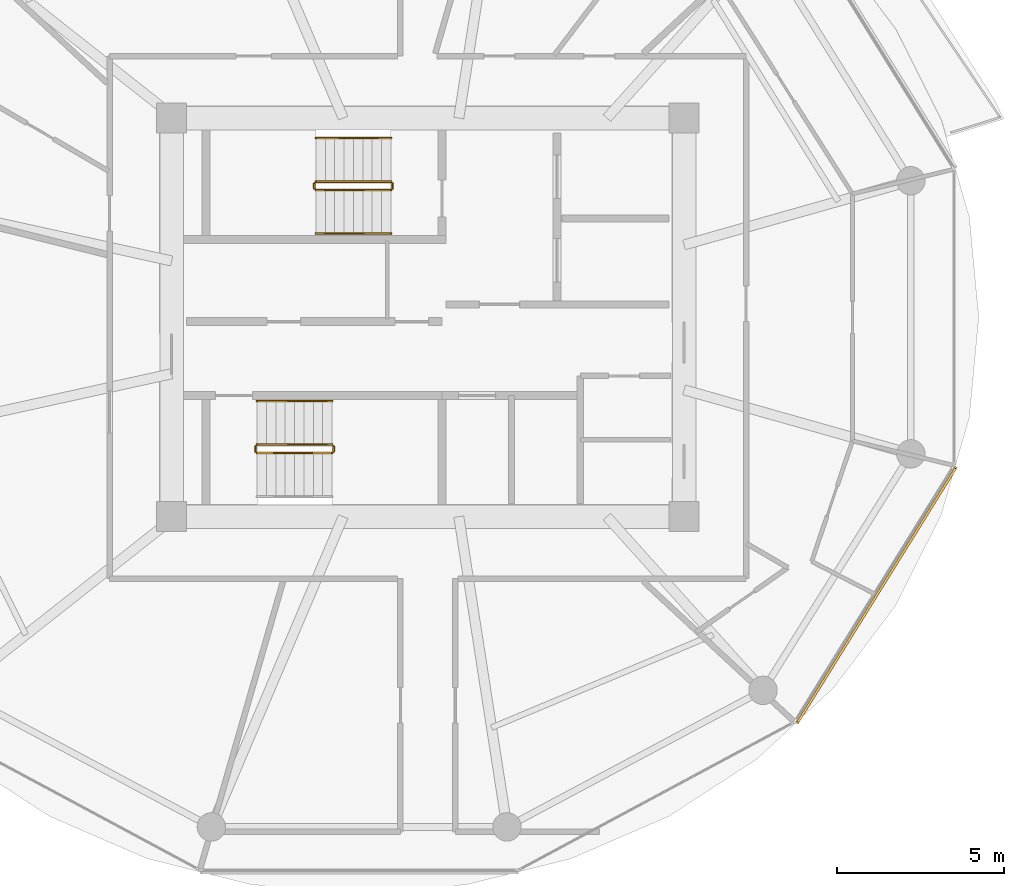
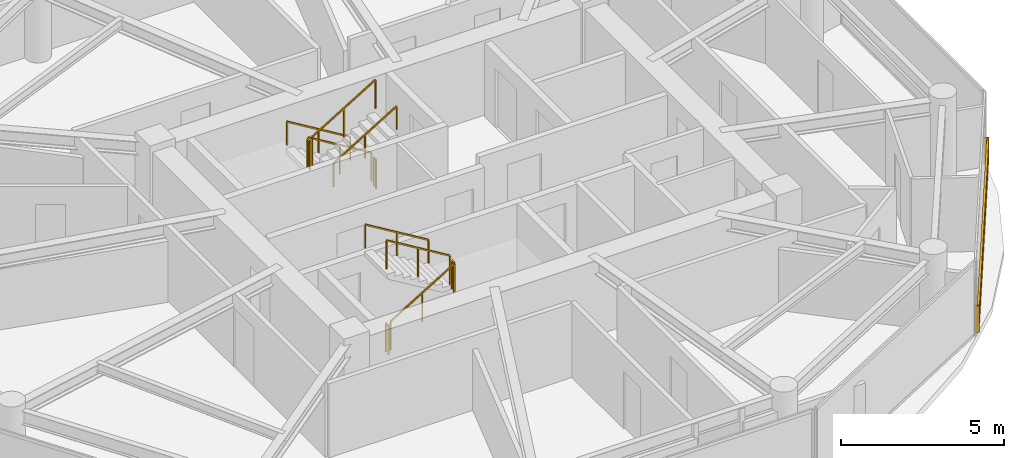
# One storey, part 23 of 24: 11 railings, 1 shading device.
"""IFC4 building model written with IfcOpenShell, lengths in metres."""

from ifc_helpers import new_model, si_unit, direction, frame, origin, origin_2d, place, context, subcontext, project, spatial, rectangle, extrude, source, transform, mapped, material, type_object, type_shapes, element, save


model = new_model("IFC4")

# Units and contexts
model_context = context("Model", 3, precision=1e-05, world=origin(), true_north=direction((0.0, 1.0)))
body_context = subcontext(model_context, "Body", "Model", "MODEL_VIEW")
ifc_project = project(units=[si_unit("LENGTHUNIT", "METRE"), si_unit("AREAUNIT", "SQUARE_METRE"), si_unit("VOLUMEUNIT", "CUBIC_METRE"), si_unit("PLANEANGLEUNIT", "RADIAN"), si_unit("MASSUNIT", "GRAM", prefix="KILO")], contexts=[model_context])

# Site, building, storey
site_placement = place(None, origin())
site = spatial("IfcSite", under=ifc_project, at=site_placement, CompositionType="ELEMENT")
building_placement = place(site_placement, origin())
building = spatial("IfcBuilding", under=site, at=building_placement, Name="Norrkilde Senior Care Towers", CompositionType="ELEMENT")
storey_placement = place(building_placement, frame((0.0, 0.0, 111.5)))
storey = spatial("IfcBuildingStorey", under=building, at=storey_placement, Name="L34", CompositionType="ELEMENT", Elevation=111.5)

# Railings
ifc_material_1 = material(Name="Stainless Steel", Category="steel")
railing_type_1 = type_object("IfcRailingType", Name="Stair and Terrace Guardrail 1100", PredefinedType="GUARDRAIL", material=ifc_material_1)
railing_1_placement = place(storey_placement, frame((26.89990234375, 4.050048828125, 0.16943359375)))
element("IfcRailing", 1, at=railing_1_placement, inside=storey, type_object=railing_type_1, Name="L34 ST-E1 stair guard 1", PredefinedType="GUARDRAIL", context=body_context, shape_type="SweptSolid", body=[
    extrude(rectangle(XDim=0.048095703125, YDim=0.048095703125, at=origin_2d()), frame((0.0, 0.0, 1.076171875), z_axis=(-0.855553338991, 0.0, 0.51771467445), x_axis=(0.0, -1.0, 0.0)), (0.0, 0.0, 1.0), 2.6181640625),
    extrude(rectangle(XDim=0.0419921875, YDim=0.0419921875, at=origin_2d()), origin(), (0.0, 0.0, 1.0), 1.050048828125),
    extrude(rectangle(XDim=0.0419921875, YDim=0.0419921875, at=origin_2d()), frame((-1.1201171875, 0.0, 0.677734375)), (0.0, 0.0, 1.0), 1.050048828125),
    extrude(rectangle(XDim=0.0419921875, YDim=0.0419921875, at=origin_2d()), frame((-2.239990234375, 0.0, 1.35546875)), (0.0, 0.0, 1.0), 1.050048828125),
])
railing_2_placement = place(storey_placement, frame((24.610107421875, 4.0, 1.52490234375)))
element("IfcRailing", 2, at=railing_2_placement, inside=storey, type_object=railing_type_1, Name="L34 ST-E1 stair guard 2", PredefinedType="GUARDRAIL", context=body_context, shape_type="SweptSolid", body=[
    extrude(rectangle(XDim=0.048095703125, YDim=0.048095703125, at=origin_2d()), frame((0.0, 0.0, 1.076171875), z_axis=(0.0, -1.0, 0.0), x_axis=(1.0, 0.0, 0.0)), (0.0, 0.0, 1.0), 0.14990234375),
    extrude(rectangle(XDim=0.0419921875, YDim=0.0419921875, at=origin_2d()), origin(), (0.0, 0.0, 1.0), 1.050048828125),
    extrude(rectangle(XDim=0.0419921875, YDim=0.0419921875, at=origin_2d()), frame((0.0, -0.14990234375, 0.0)), (0.0, 0.0, 1.0), 1.050048828125),
])
railing_3_placement = place(storey_placement, frame((24.659912109375, 3.800048828125, 1.6943359375)))
element("IfcRailing", 3, at=railing_3_placement, inside=storey, type_object=railing_type_1, Name="L34 ST-E1 stair guard 3", PredefinedType="GUARDRAIL", context=body_context, shape_type="SweptSolid", body=[
    extrude(rectangle(XDim=0.048095703125, YDim=0.048095703125, at=origin_2d()), frame((0.0, 0.0, 1.076171875), z_axis=(0.855512035549, 0.0, 0.517782924622), x_axis=(0.0, 1.0, 0.0)), (0.0, 0.0, 1.0), 2.618408203125),
    extrude(rectangle(XDim=0.0419921875, YDim=0.0419921875, at=origin_2d()), origin(), (0.0, 0.0, 1.0), 1.050048828125),
    extrude(rectangle(XDim=0.0419921875, YDim=0.0419921875, at=origin_2d()), frame((1.1201171875, 0.0, 0.677734375)), (0.0, 0.0, 1.0), 1.050048828125),
    extrude(rectangle(XDim=0.0419921875, YDim=0.0419921875, at=origin_2d()), frame((2.239990234375, 0.0, 1.355712890625)), (0.0, 0.0, 1.0), 1.050048828125),
])
railing_4_placement = place(storey_placement, frame((26.949951171875, 4.0, 0.0)))
element("IfcRailing", 4, at=railing_4_placement, inside=storey, type_object=railing_type_1, Name="L34 ST-E1 stair guard 4", PredefinedType="GUARDRAIL", context=body_context, shape_type="SweptSolid", body=[
    extrude(rectangle(XDim=0.048095703125, YDim=0.048095703125, at=origin_2d()), frame((0.0, 0.0, 1.076171875), z_axis=(0.0, -1.0, 0.0), x_axis=(1.0, 0.0, 0.0)), (0.0, 0.0, 1.0), 0.14990234375),
    extrude(rectangle(XDim=0.0419921875, YDim=0.0419921875, at=origin_2d()), origin(), (0.0, 0.0, 1.0), 1.050048828125),
    extrude(rectangle(XDim=0.0419921875, YDim=0.0419921875, at=origin_2d()), frame((0.0, -0.14990234375, 0.0)), (0.0, 0.0, 1.0), 1.050048828125),
])
railing_5_placement = place(storey_placement, frame((22.89990234375, -4.050048828125, 0.16943359375)))
element("IfcRailing", 5, at=railing_5_placement, inside=storey, type_object=railing_type_1, Name="L34 ST-E2 stair guard 1", PredefinedType="GUARDRAIL", context=body_context, shape_type="SweptSolid", body=[
    extrude(rectangle(XDim=0.048095703125, YDim=0.048095703125, at=origin_2d()), frame((0.0, 0.0, 1.076171875), z_axis=(0.855553338991, 0.0, 0.51771467445), x_axis=(0.0, 1.0, 0.0)), (0.0, 0.0, 1.0), 2.6181640625),
    extrude(rectangle(XDim=0.0419921875, YDim=0.0419921875, at=origin_2d()), origin(), (0.0, 0.0, 1.0), 1.050048828125),
    extrude(rectangle(XDim=0.0419921875, YDim=0.0419921875, at=origin_2d()), frame((1.1201171875, 0.0, 0.677734375)), (0.0, 0.0, 1.0), 1.050048828125),
    extrude(rectangle(XDim=0.0419921875, YDim=0.0419921875, at=origin_2d()), frame((2.239990234375, 0.0, 1.35546875)), (0.0, 0.0, 1.0), 1.050048828125),
])
railing_6_placement = place(storey_placement, frame((25.18994140625, -4.0, 1.52490234375)))
element("IfcRailing", 6, at=railing_6_placement, inside=storey, type_object=railing_type_1, Name="L34 ST-E2 stair guard 2", PredefinedType="GUARDRAIL", context=body_context, shape_type="SweptSolid", body=[
    extrude(rectangle(XDim=0.048095703125, YDim=0.048095703125, at=origin_2d()), frame((0.0, 0.0, 1.076171875), z_axis=(0.0, 1.0, 0.0), x_axis=(-1.0, 0.0, 0.0)), (0.0, 0.0, 1.0), 0.14990234375),
    extrude(rectangle(XDim=0.0419921875, YDim=0.0419921875, at=origin_2d()), origin(), (0.0, 0.0, 1.0), 1.050048828125),
    extrude(rectangle(XDim=0.0419921875, YDim=0.0419921875, at=origin_2d()), frame((0.0, 0.14990234375, 0.0)), (0.0, 0.0, 1.0), 1.050048828125),
])
railing_7_placement = place(storey_placement, frame((25.139892578125, -3.800048828125, 1.6943359375)))
element("IfcRailing", 7, at=railing_7_placement, inside=storey, type_object=railing_type_1, Name="L34 ST-E2 stair guard 3", PredefinedType="GUARDRAIL", context=body_context, shape_type="SweptSolid", body=[
    extrude(rectangle(XDim=0.048095703125, YDim=0.048095703125, at=origin_2d()), frame((0.0, 0.0, 1.076171875), z_axis=(-0.855512035549, 0.0, 0.517782924622), x_axis=(0.0, -1.0, 0.0)), (0.0, 0.0, 1.0), 2.618408203125),
    extrude(rectangle(XDim=0.0419921875, YDim=0.0419921875, at=origin_2d()), origin(), (0.0, 0.0, 1.0), 1.050048828125),
    extrude(rectangle(XDim=0.0419921875, YDim=0.0419921875, at=origin_2d()), frame((-1.1201171875, 0.0, 0.677734375)), (0.0, 0.0, 1.0), 1.050048828125),
    extrude(rectangle(XDim=0.0419921875, YDim=0.0419921875, at=origin_2d()), frame((-2.239990234375, 0.0, 1.355712890625)), (0.0, 0.0, 1.0), 1.050048828125),
])
railing_8_placement = place(storey_placement, frame((22.85009765625, -4.0, 0.0)))
element("IfcRailing", 8, at=railing_8_placement, inside=storey, type_object=railing_type_1, Name="L34 ST-E2 stair guard 4", PredefinedType="GUARDRAIL", context=body_context, shape_type="SweptSolid", body=[
    extrude(rectangle(XDim=0.048095703125, YDim=0.048095703125, at=origin_2d()), frame((0.0, 0.0, 1.076171875), z_axis=(0.0, 1.0, 0.0), x_axis=(-1.0, 0.0, 0.0)), (0.0, 0.0, 1.0), 0.14990234375),
    extrude(rectangle(XDim=0.0419921875, YDim=0.0419921875, at=origin_2d()), origin(), (0.0, 0.0, 1.0), 1.050048828125),
    extrude(rectangle(XDim=0.0419921875, YDim=0.0419921875, at=origin_2d()), frame((0.0, 0.14990234375, 0.0)), (0.0, 0.0, 1.0), 1.050048828125),
])
ifc_material_2 = material(Name="Nordic Ash Timber", Category="wood")
railing_type_2 = type_object("IfcRailingType", Name="Wall and Stair Handrail 900", PredefinedType="HANDRAIL", material=ifc_material_2)
railing_9_placement = place(storey_placement, frame((26.89990234375, 5.35009765625, 0.16943359375)))
element("IfcRailing", 9, at=railing_9_placement, inside=storey, type_object=railing_type_2, Name="L34 ST-E1 stair handrail 1", PredefinedType="HANDRAIL", context=body_context, shape_type="SweptSolid", body=[
    extrude(rectangle(XDim=0.048095703125, YDim=0.048095703125, at=origin_2d()), frame((0.0, 0.0, 0.8759765625), z_axis=(-0.855553338991, 0.0, 0.51771467445), x_axis=(0.0, -1.0, 0.0)), (0.0, 0.0, 1.0), 2.6181640625),
    extrude(rectangle(XDim=0.0419921875, YDim=0.0419921875, at=origin_2d()), origin(), (0.0, 0.0, 1.0), 0.849853515625),
    extrude(rectangle(XDim=0.0419921875, YDim=0.0419921875, at=origin_2d()), frame((-1.1201171875, 0.0, 0.677734375)), (0.0, 0.0, 1.0), 0.849853515625),
    extrude(rectangle(XDim=0.0419921875, YDim=0.0419921875, at=origin_2d()), frame((-2.239990234375, 0.0, 1.35546875)), (0.0, 0.0, 1.0), 0.849853515625),
])
railing_10_placement = place(storey_placement, frame((24.659912109375, 2.5, 1.6943359375)))
element("IfcRailing", 10, at=railing_10_placement, inside=storey, type_object=railing_type_2, Name="L34 ST-E1 stair handrail 2", PredefinedType="HANDRAIL", context=body_context, shape_type="SweptSolid", body=[
    extrude(rectangle(XDim=0.048095703125, YDim=0.048095703125, at=origin_2d()), frame((0.0, 0.0, 0.8759765625), z_axis=(0.855512035549, 0.0, 0.517782924622), x_axis=(0.0, 1.0, 0.0)), (0.0, 0.0, 1.0), 2.618408203125),
    extrude(rectangle(XDim=0.0419921875, YDim=0.0419921875, at=origin_2d()), origin(), (0.0, 0.0, 1.0), 0.849853515625),
    extrude(rectangle(XDim=0.0419921875, YDim=0.0419921875, at=origin_2d()), frame((1.1201171875, 0.0, 0.677734375)), (0.0, 0.0, 1.0), 0.849853515625),
    extrude(rectangle(XDim=0.0419921875, YDim=0.0419921875, at=origin_2d()), frame((2.239990234375, 0.0, 1.355712890625)), (0.0, 0.0, 1.0), 0.849853515625),
])
railing_11_placement = place(storey_placement, frame((25.139892578125, -2.5, 1.6943359375)))
element("IfcRailing", 11, at=railing_11_placement, inside=storey, type_object=railing_type_2, Name="L34 ST-E2 stair handrail 2", PredefinedType="HANDRAIL", context=body_context, shape_type="SweptSolid", body=[
    extrude(rectangle(XDim=0.048095703125, YDim=0.048095703125, at=origin_2d()), frame((0.0, 0.0, 0.8759765625), z_axis=(-0.855512035549, 0.0, 0.517782924622), x_axis=(0.0, -1.0, 0.0)), (0.0, 0.0, 1.0), 2.618408203125),
    extrude(rectangle(XDim=0.0419921875, YDim=0.0419921875, at=origin_2d()), origin(), (0.0, 0.0, 1.0), 0.849853515625),
    extrude(rectangle(XDim=0.0419921875, YDim=0.0419921875, at=origin_2d()), frame((-1.1201171875, 0.0, 0.677734375)), (0.0, 0.0, 1.0), 0.849853515625),
    extrude(rectangle(XDim=0.0419921875, YDim=0.0419921875, at=origin_2d()), frame((-2.239990234375, 0.0, 1.355712890625)), (0.0, 0.0, 1.0), 0.849853515625),
])

# Shading device
ifc_material_3 = material(Name="Architectural Terracotta", Category="masonry")
shading_device_type = type_object("IfcShadingDeviceType", Name="Horizontal Terracotta Baguette Rack", PredefinedType="USERDEFINED", material=ifc_material_3)
shared_shape = source(origin(), body_context, "Body", "SweptSolid", [
    extrude(rectangle(XDim=0.070068359375, YDim=0.110107421875, at=origin_2d()), frame((0.0, 0.090087890625, 0.125), z_axis=(1.0, 0.0, 0.0), x_axis=(0.0, 1.0, 0.0)), (0.0, 0.0, 1.0), 9.01416015625),
    extrude(rectangle(XDim=0.070068359375, YDim=0.110107421875, at=origin_2d()), frame((0.0, 0.090087890625, 0.375), z_axis=(1.0, 0.0, 0.0), x_axis=(0.0, 1.0, 0.0)), (0.0, 0.0, 1.0), 9.01416015625),
    extrude(rectangle(XDim=0.070068359375, YDim=0.110107421875, at=origin_2d()), frame((0.0, 0.090087890625, 0.625), z_axis=(1.0, 0.0, 0.0), x_axis=(0.0, 1.0, 0.0)), (0.0, 0.0, 1.0), 9.01416015625),
    extrude(rectangle(XDim=0.070068359375, YDim=0.110107421875, at=origin_2d()), frame((0.0, 0.090087890625, 0.875), z_axis=(1.0, 0.0, 0.0), x_axis=(0.0, 1.0, 0.0)), (0.0, 0.0, 1.0), 9.01416015625),
    extrude(rectangle(XDim=0.050048828125, YDim=0.1552734375, at=origin_2d()), frame((0.02490234375, 0.047607421875, 0.0)), (0.0, 0.0, 1.0), 1.0),
    extrude(rectangle(XDim=0.050048828125, YDim=0.1552734375, at=origin_2d()), frame((8.9892578125, 0.047607421875, 0.0)), (0.0, 0.0, 1.0), 1.0),
])
type_shapes(shading_device_type, [shared_shape])
shading_device_placement = place(storey_placement, frame((43.70361328125, -4.420654296875, 0.080078125), z_axis=(0.0, 0.0, 1.0), x_axis=(-0.527734142246, -0.849412274525, 0.0)))
element("IfcShadingDevice", 12, at=shading_device_placement, inside=storey, type_object=shading_device_type, Name="L34 Drum E Terracotta Baguette Screen 10", ObjectType="BAGUETTE", PredefinedType="USERDEFINED", context=body_context, shape_type="MappedRepresentation", body=[
    mapped(shared_shape, transform((0.0, 0.0, 0.0), x_axis=(1.0, 0.0, 0.0), y_axis=(0.0, 1.0, 0.0), z_axis=(0.0, 0.0, 1.0), scale=1.0)),
])

save(model, "model.ifc")
